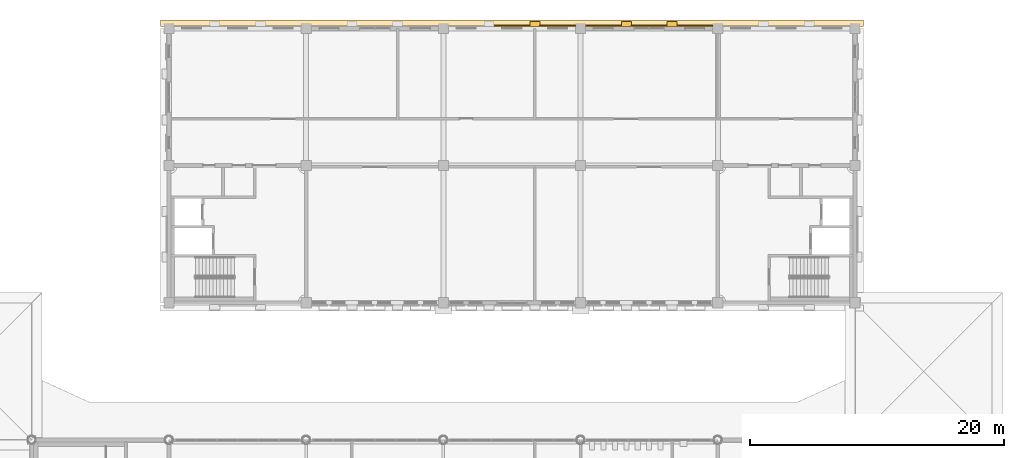
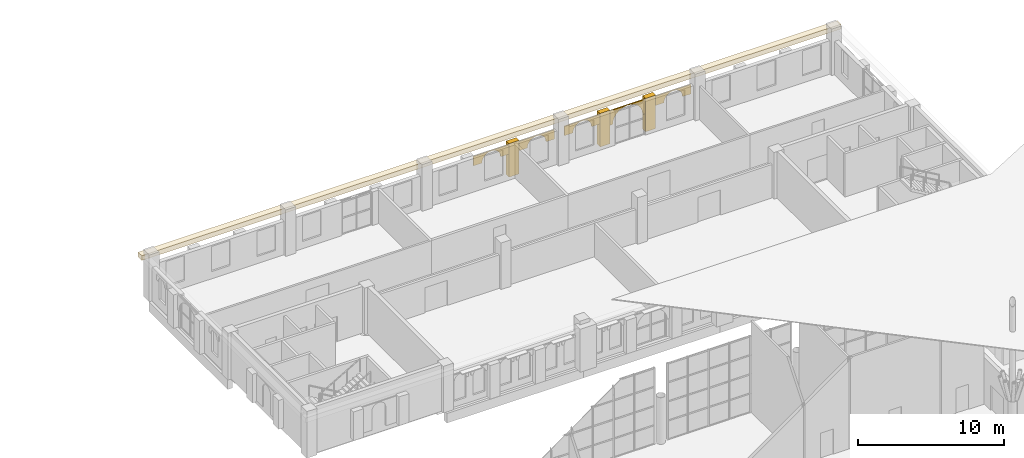
# One storey, part 54 of 56: 9 coverings.
"""IFC4 building model written with IfcOpenShell, lengths in metres."""

import ifcopenshell
import ifcopenshell.guid

model = None  # the IFC model being written
_history = None  # IfcOwnerHistory: only IFC2X3 demands one
_inside = {}  # id of a spatial element -> (the spatial element, [elements in it])
_under = {}  # id of a project, library or spatial element -> (it, [spatial elements below it])
_declared = {}  # id of a project -> (the project, [libraries it declares])
_typed = {}  # id of a type object -> (the type object, [elements of that type])
_made_of = {}  # id of a material, layer set ... -> (it, [elements and type objects made of it])


def new_model(schema):
    """Start an empty IFC model of exactly this schema.

    Asked for "IFC4X3", IfcOpenShell would pick the latest addendum, in which some entities
    have other attributes; the version numbers below select the first issue.
    IFC2X3 requires an IfcOwnerHistory on every rooted entity: one is made here for all.
    """
    global model, _history
    if schema == "IFC4X3":
        model = ifcopenshell.file(schema_version=(4, 3, 0, 0))
    else:
        model = ifcopenshell.file(schema=schema)
    _inside.clear()
    _under.clear()
    _declared.clear()
    _typed.clear()
    _made_of.clear()
    _history = None
    if model.schema == "IFC2X3":
        org = make("IfcOrganization", Name="unknown")
        user = make(
            "IfcPersonAndOrganization",
            ThePerson=make("IfcPerson", FamilyName="unknown"),
            TheOrganization=org,
        )
        app = make(
            "IfcApplication",
            ApplicationDeveloper=org,
            Version="unknown",
            ApplicationFullName="unknown",
            ApplicationIdentifier="unknown",
        )
        _history = make(
            "IfcOwnerHistory",
            OwningUser=user,
            OwningApplication=app,
            ChangeAction="ADDED",
            CreationDate=0,
        )
    return model


def make(cls, **values):
    """One entity of the class cls with the attributes given. An attribute that is None is left unset."""
    return model.create_entity(
        cls, **{name: value for name, value in values.items() if value is not None}
    )


def rooted(cls, **values):
    """An entity with a GlobalId (a new one), such as an element, a storey or a relation."""
    return make(cls, GlobalId=ifcopenshell.guid.new(), OwnerHistory=_history, **values)


def si_unit(unit_type, name, prefix=None):
    """IfcSIUnit, for example si_unit("LENGTHUNIT", "METRE", prefix="MILLI")."""
    return make("IfcSIUnit", UnitType=unit_type, Prefix=prefix, Name=name)


def assignment(units):
    """IfcUnitAssignment: the units of a project."""
    return None if units is None else make("IfcUnitAssignment", Units=units)


def point(xyz):
    """IfcCartesianPoint."""
    return None if xyz is None else make("IfcCartesianPoint", Coordinates=xyz)


def direction(xyz):
    """IfcDirection."""
    return None if xyz is None else make("IfcDirection", DirectionRatios=xyz)


def frame(location, z_axis=None, x_axis=None):
    """IfcAxis2Placement3D, a coordinate frame: its origin and axes. An axis left out is left unset."""
    return make(
        "IfcAxis2Placement3D",
        Location=point(location),
        Axis=direction(z_axis),
        RefDirection=direction(x_axis),
    )


def frame_2d(location, x_axis=None):
    """IfcAxis2Placement2D, a coordinate frame in the plane: its origin and x axis."""
    return make(
        "IfcAxis2Placement2D", Location=point(location), RefDirection=direction(x_axis)
    )


def origin():
    """The frame at (0, 0, 0) with its axes left unset."""
    return frame((0.0, 0.0, 0.0))


def origin_2d():
    """The frame at (0, 0) in the plane with its x axis left unset."""
    return frame_2d((0.0, 0.0))


def place(relative_to, where):
    """IfcLocalPlacement: puts the frame where relative to a parent placement (None: the world)."""
    return make(
        "IfcLocalPlacement", PlacementRelTo=relative_to, RelativePlacement=where
    )


def context(
    kind, dimensions, precision=None, world=None, true_north=None, identifier=None
):
    """IfcGeometricRepresentationContext, for example the 3D "Model" context."""
    return make(
        "IfcGeometricRepresentationContext",
        ContextIdentifier=identifier,
        ContextType=kind,
        CoordinateSpaceDimension=dimensions,
        Precision=precision,
        WorldCoordinateSystem=world,
        TrueNorth=true_north,
    )


def subcontext(parent, identifier, kind, view, scale=None):
    """IfcGeometricRepresentationSubContext, for example "Body" below "Model"."""
    return make(
        "IfcGeometricRepresentationSubContext",
        ContextIdentifier=identifier,
        ContextType=kind,
        ParentContext=parent,
        TargetScale=scale,
        TargetView=view,
    )


def project(units=None, contexts=None):
    """IfcProject with its units and contexts."""
    return rooted(
        "IfcProject",
        Name="project",
        RepresentationContexts=contexts,
        UnitsInContext=assignment(units),
    )


def spatial(cls, under=None, at=None, **own):
    """A site, building, storey or space (cls), placed at a placement, below another one or the project."""
    s = rooted(cls, ObjectPlacement=at, **own)
    if under is not None:
        _under.setdefault(under.id(), (under, []))[1].append(s)
    return s


def polyline(points):
    """IfcPolyline through the points."""
    return make("IfcPolyline", Points=[point(p) for p in points])


def profile(cls, at=None, kind="AREA", **sizes):
    """A parametric profile (cls). Its sizes go by their IFC names, for example OverallWidth=200.0."""
    return make(cls, ProfileType=kind, Position=at, **sizes)


def rectangle(**sizes):
    """IfcRectangleProfileDef."""
    return profile("IfcRectangleProfileDef", **sizes)


def outline(outer, holes=None, kind="AREA"):
    """IfcArbitraryClosedProfileDef: a profile drawn as a closed curve; with holes, ...WithVoids."""
    if holes is None:
        return make("IfcArbitraryClosedProfileDef", ProfileType=kind, OuterCurve=outer)
    return make(
        "IfcArbitraryProfileDefWithVoids",
        ProfileType=kind,
        OuterCurve=outer,
        InnerCurves=holes,
    )


def extrude(swept, where, along, depth):
    """IfcExtrudedAreaSolid: the profile swept, set in the frame where, extruded along a direction by depth."""
    return make(
        "IfcExtrudedAreaSolid",
        SweptArea=swept,
        Position=where,
        ExtrudedDirection=direction(along),
        Depth=depth,
    )


def shape(context_of_items, identifier, shape_type, items):
    """IfcShapeRepresentation: the items that make up one representation, for example the "Body"."""
    return make(
        "IfcShapeRepresentation",
        ContextOfItems=context_of_items,
        RepresentationIdentifier=identifier,
        RepresentationType=shape_type,
        Items=items,
    )


def material(Name=None, Category=None):
    """IfcMaterial."""
    return make("IfcMaterial", Name=Name, Category=Category)


def layer(
    of_material, thickness, ventilated=None, Name=None, Category=None, Priority=None
):
    """IfcMaterialLayer: one layer of a wall or slab, of a material (None: an air gap)."""
    return make(
        "IfcMaterialLayer",
        Material=of_material,
        LayerThickness=thickness,
        IsVentilated=ventilated,
        Name=Name,
        Category=Category,
        Priority=Priority,
    )


def layer_set(layers, Name=None):
    """IfcMaterialLayerSet."""
    return make("IfcMaterialLayerSet", MaterialLayers=layers, LayerSetName=Name)


def made_of(thing, what):
    """Note that an element or type object is made of a material, layer set ...; save() writes the relation."""
    if what is not None:
        _made_of.setdefault(what.id(), (what, []))[1].append(thing)
    return thing


def type_object(cls, material=None, **own):
    """A type object (cls), such as IfcWallType, which elements share."""
    return made_of(rooted(cls, **own), material)


def element(
    cls,
    number,
    at=None,
    inside=None,
    cuts=None,
    type_object=None,
    material=None,
    context=None,
    identifier="Body",
    shape_type=None,
    held_by="IfcProductDefinitionShape",
    body=None,
    shapes=None,
    **own,
):
    """One element of the class cls, such as IfcWall. Its Tag is "e" and its number.

    at: its placement. inside: the storey or other place that contains it. cuts: it is an
    opening in that element (IfcRelVoidsElement). A single representation is given by context,
    identifier, shape_type and body (its items); several are given by shapes. held_by: the class
    of the entity that holds the representations. save() writes the other relations.
    """
    e = rooted(cls, Tag="e%d" % number, ObjectPlacement=at, **own)
    if body is not None:
        shapes = [shape(context, identifier, shape_type, body)]
    if shapes is not None:
        e.Representation = make(held_by, Representations=shapes)
    if inside is not None:
        _inside.setdefault(inside.id(), (inside, []))[1].append(e)
    if cuts is not None:
        rooted(
            "IfcRelVoidsElement", RelatingBuildingElement=cuts, RelatedOpeningElement=e
        )
    if type_object is not None:
        _typed.setdefault(type_object.id(), (type_object, []))[1].append(e)
    return made_of(e, material)


def aggregate(whole, parts):
    """IfcRelAggregates: a whole, such as a stair, and the parts it consists of."""
    return rooted("IfcRelAggregates", RelatingObject=whole, RelatedObjects=parts)


def save(model, path):
    """Write the relations noted so far, then the file.

    IfcRelAggregates (storeys below a building ...), IfcRelContainedInSpatialStructure (elements
    in a storey), IfcRelDefinesByType, IfcRelAssociatesMaterial and IfcRelDeclares: one each for
    every whole, place, type object, material and project.
    """
    for whole, parts in _under.values():
        aggregate(whole, parts)
    for where, things in _inside.values():
        rooted(
            "IfcRelContainedInSpatialStructure",
            RelatedElements=things,
            RelatingStructure=where,
        )
    for kind, things in _typed.values():
        rooted("IfcRelDefinesByType", RelatedObjects=things, RelatingType=kind)
    for what, things in _made_of.values():
        rooted("IfcRelAssociatesMaterial", RelatedObjects=things, RelatingMaterial=what)
    for by, libraries in _declared.values():
        rooted("IfcRelDeclares", RelatingContext=by, RelatedDefinitions=libraries)
    model.write(path)


model = new_model("IFC4")

# Units and contexts
model_context = context("Model", 3, precision=1e-05, world=origin(), true_north=direction((0.0, 1.0)))
body_context = subcontext(model_context, "Body", "Model", "MODEL_VIEW")
ifc_project = project(units=[si_unit("LENGTHUNIT", "METRE"), si_unit("AREAUNIT", "SQUARE_METRE"), si_unit("VOLUMEUNIT", "CUBIC_METRE"), si_unit("PLANEANGLEUNIT", "RADIAN"), si_unit("MASSUNIT", "GRAM", prefix="KILO")], contexts=[model_context])

# Site, building, storey
site_placement = place(None, origin())
site = spatial("IfcSite", under=ifc_project, at=site_placement, CompositionType="ELEMENT")
building_placement = place(site_placement, origin())
building = spatial("IfcBuilding", under=site, at=building_placement, Name="Magnolia Steps Interchange", CompositionType="ELEMENT")
storey_placement = place(building_placement, frame((0.0, 0.0, 8.699951171875)))
storey = spatial("IfcBuildingStorey", under=building, at=storey_placement, Name="L02", CompositionType="ELEMENT", Elevation=8.699951171875)

# Coverings
ifc_material_1 = material(Name="Lime render")
ifc_layer_1 = layer(ifc_material_1, 0.080078125)
ifc_layer_set_1 = layer_set([ifc_layer_1], Name="Lime render arch infill")
covering_type_1 = type_object("IfcCoveringType", Name="Lime render arch infill", PredefinedType="CLADDING", material=ifc_layer_set_1)
covering_1_placement = place(storey_placement, frame((100.60009765625, 118.16259765625, 1.530029296875), z_axis=(0.0, -1.0, 0.0), x_axis=(0.111727497739, 0.0, 0.993738882327)))
element("IfcCovering", 1, at=covering_1_placement, inside=storey, type_object=covering_type_1, Name="Arched head over opening g4", PredefinedType="CLADDING", context=body_context, shape_type="SweptSolid", body=[
    extrude(outline(polyline([(0.0, 0.0), (0.268772661, 0.0), (0.530748193, -0.059727135), (0.772847059, -0.176475415), (0.982820897, -0.344005898), (1.150413918, -0.55413586), (1.266823118, -0.79630813), (1.326505678, -1.058370595), (1.326478401, -1.326900644), (1.266778543, -1.589118788), (1.150002986, -1.830975041), (0.98249978, -2.041191492), (0.772342541, -2.208541901), (0.530197548, -2.325193713), (0.268135084, -2.384876273), (0.290475128, -2.583575527), (1.502807451, -2.447271253), (1.189965002, 0.33524614), (-0.022367321, 0.198941866), (0.0, 0.0)])), origin(), (0.0, 0.0, -1.0), 0.080078125),
])
covering_2_placement = place(storey_placement, frame((90.25, 118.16259765625, 1.929931640625), z_axis=(0.0, -1.0, 0.0), x_axis=(0.111866505497, 0.0, 0.993723243639)))
element("IfcCovering", 2, at=covering_2_placement, inside=storey, type_object=covering_type_1, Name="Arched head over opening W00960", PredefinedType="CLADDING", context=body_context, shape_type="SweptSolid", body=[
    extrude(outline(polyline([(0.0, 0.0), (0.168046977, 0.0), (0.331699341, -0.037347123), (0.483135814, -0.110219323), (0.61434394, -0.2150963), (0.71903364, -0.346298397), (0.791830647, -0.497551495), (0.829192312, -0.661392554), (0.829192312, -0.829439531), (0.791845189, -0.993091895), (0.718945677, -1.144285759), (0.61433862, -1.275709182), (0.482893915, -1.380426194), (0.331640817, -1.453223201), (0.167799758, -1.490584865), (0.240502062, -2.136407931), (1.005688369, -2.050268536), (0.692484002, 0.731962459), (-0.072702304, 0.645823065), (0.0, 0.0)])), origin(), (0.0, 0.0, -1.0), 0.080078125),
])
covering_3_placement = place(storey_placement, frame((93.85009765625, 118.16259765625, 1.929931640625), z_axis=(0.0, -1.0, 0.0), x_axis=(0.111866505497, 0.0, 0.993723243639)))
element("IfcCovering", 3, at=covering_3_placement, inside=storey, type_object=covering_type_1, Name="Arched head over opening W01320", PredefinedType="CLADDING", context=body_context, shape_type="SweptSolid", body=[
    extrude(outline(polyline([(0.0, 0.0), (0.168046977, 0.0), (0.331699341, -0.037347123), (0.483135814, -0.110219323), (0.614316629, -0.214853692), (0.71903364, -0.346298397), (0.791830647, -0.497551495), (0.829192312, -0.661392554), (0.829165001, -0.829196923), (0.791817878, -0.992849287), (0.718945677, -1.144285759), (0.614311308, -1.275466574), (0.482866604, -1.380183586), (0.331640817, -1.453223201), (0.167799758, -1.490584865), (0.240502062, -2.136407931), (1.005688369, -2.050268536), (0.692456691, 0.732205067), (-0.072729615, 0.646065673), (0.0, 0.0)])), origin(), (0.0, 0.0, -1.0), 0.080078125),
])
covering_4_placement = place(storey_placement, frame((97.449951171875, 118.16259765625, 1.929931640625), z_axis=(0.0, -1.0, 0.0), x_axis=(0.111866505497, 0.0, 0.993723243639)))
element("IfcCovering", 4, at=covering_4_placement, inside=storey, type_object=covering_type_1, Name="Arched head over opening W01680", PredefinedType="CLADDING", context=body_context, shape_type="SweptSolid", body=[
    extrude(outline(polyline([(0.0, 0.0), (0.168046977, 0.0), (0.331726652, -0.037589731), (0.483135814, -0.110219323), (0.61434394, -0.2150963), (0.71903364, -0.346298397), (0.791857958, -0.497794103), (0.829192312, -0.661392554), (0.829192312, -0.829439531), (0.791845189, -0.993091895), (0.718945677, -1.144285759), (0.61433862, -1.275709182), (0.482893915, -1.380426194), (0.331640817, -1.453223201), (0.167799758, -1.490584865), (0.240529374, -2.136650539), (1.00571568, -2.050511145), (0.692484002, 0.731962459), (-0.072702304, 0.645823065), (0.0, 0.0)])), origin(), (0.0, 0.0, -1.0), 0.080078125),
])
covering_5_placement = place(storey_placement, frame((104.64990234375, 118.16259765625, 1.929931640625), z_axis=(0.0, -1.0, 0.0), x_axis=(0.111866505497, 0.0, 0.993723243639)))
element("IfcCovering", 5, at=covering_5_placement, inside=storey, type_object=covering_type_1, Name="Arched head over opening W00240", PredefinedType="CLADDING", context=body_context, shape_type="SweptSolid", body=[
    extrude(outline(polyline([(0.0, 0.0), (0.168046977, 0.0), (0.331726652, -0.037589731), (0.483163125, -0.110461932), (0.61434394, -0.2150963), (0.719060952, -0.346541005), (0.791857958, -0.497794103), (0.829192312, -0.661392554), (0.829192312, -0.829439531), (0.791845189, -0.993091895), (0.718972988, -1.144528367), (0.61433862, -1.275709182), (0.482893915, -1.380426194), (0.331640817, -1.453223201), (0.167799758, -1.490584865), (0.240529374, -2.136650539), (1.00571568, -2.050511145), (0.692484002, 0.731962459), (-0.072702304, 0.645823065), (0.0, 0.0)])), origin(), (0.0, 0.0, -1.0), 0.080078125),
])
ifc_material_2 = material(Name="Lime render")
ifc_layer_2 = layer(ifc_material_2, 0.1201171875)
ifc_layer_set_2 = layer_set([ifc_layer_2], Name="Lime render band")
covering_type_2 = type_object("IfcCoveringType", Name="Lime render band", PredefinedType="CLADDING", material=ifc_layer_set_2)
covering_6_placement = place(storey_placement, frame((91.0, 118.41259765625, 3.2001953125), z_axis=(0.0, 0.0, 1.0), x_axis=(1.0, 0.0, 0.0)))
element("IfcCovering", 6, at=covering_6_placement, inside=storey, type_object=covering_type_2, Name="String course L02 N", PredefinedType="CLADDING", context=body_context, shape_type="SweptSolid", body=[
    extrude(rectangle(XDim=55.324951171875, YDim=0.5, at=origin_2d()), origin(), (0.0, 0.0, 1.0), 0.39990234375),
])
ifc_material_3 = material(Name="Lime render")
ifc_layer_3 = layer(ifc_material_3, 0.39990234375)
ifc_layer_set_3 = layer_set([ifc_layer_3], Name="Lime render pilaster")
covering_type_3 = type_object("IfcCoveringType", Name="Lime render pilaster", PredefinedType="CLADDING", material=ifc_layer_set_3)
for number, where, z_axis, x_axis, name in (
    (7, (92.800048828125, 118.362548828125, 0.0), (0.0, 0.0, 1.0), (1.0, 0.0, 0.0), "Pilaster L02 N 6"),
    (8, (100.0, 118.362548828125, 0.0), (0.0, 0.0, 1.0), (1.0, 0.0, 0.0), "Pilaster L02 N 7"),
    (9, (103.60009765625, 118.362548828125, 0.0), (0.0, 0.0, 1.0), (1.0, 0.0, 0.0), "Pilaster L02 N 8"),
):
    element("IfcCovering", number, at=place(storey_placement, frame(where, z_axis=z_axis, x_axis=x_axis)), inside=storey, type_object=covering_type_3, Name=name, PredefinedType="CLADDING", context=body_context, shape_type="SweptSolid", body=[
        extrude(rectangle(XDim=0.800048828125, YDim=0.39990234375, at=origin_2d()), origin(), (0.0, 0.0, 1.0), 2.800048828125),
    ])

save(model, "model.ifc")
